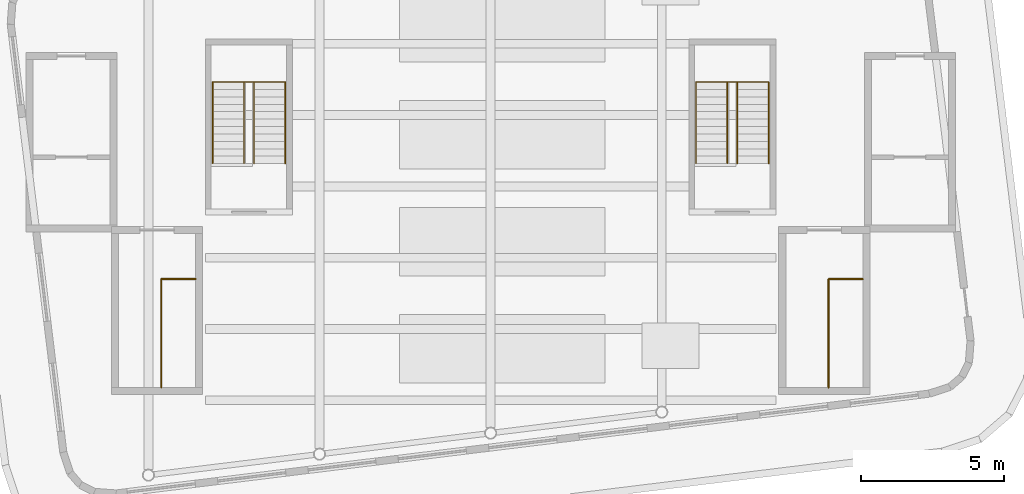
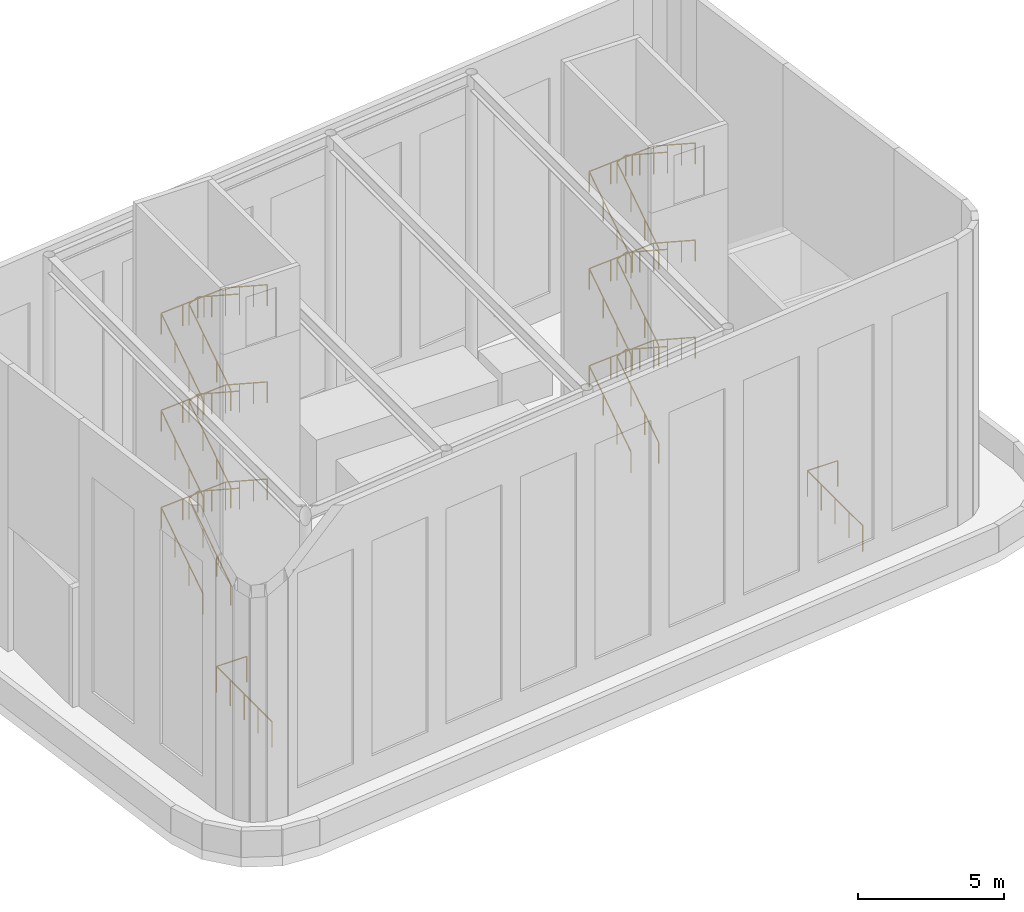
# One storey, part 6 of 7: 14 railings.
"""IFC4 building model written with IfcOpenShell, lengths in metres."""

from ifc_helpers import new_model, si_unit, direction, frame, origin, origin_2d, place, context, subcontext, project, spatial, circle, extrude, material, type_object, element, save


model = new_model("IFC4")

# Units and contexts
model_context = context("Model", 3, precision=1e-05, world=origin(), true_north=direction((0.0, 1.0)))
body_context = subcontext(model_context, "Body", "Model", "MODEL_VIEW")
ifc_project = project(units=[si_unit("LENGTHUNIT", "METRE"), si_unit("AREAUNIT", "SQUARE_METRE"), si_unit("VOLUMEUNIT", "CUBIC_METRE"), si_unit("PLANEANGLEUNIT", "RADIAN"), si_unit("MASSUNIT", "GRAM", prefix="KILO")], contexts=[model_context])

# Site, building, storey
site_placement = place(None, origin())
site = spatial("IfcSite", under=ifc_project, at=site_placement, CompositionType="ELEMENT")
building_placement = place(site_placement, origin())
building = spatial("IfcBuilding", under=site, at=building_placement, Name="Torana Hotel and Residences", CompositionType="ELEMENT")
storey_placement = place(building_placement, frame((0.0, 0.0, 363.39990234375)))
storey = spatial("IfcBuildingStorey", under=building, at=storey_placement, Name="RF", CompositionType="ELEMENT", Elevation=363.39990234375)

# Railings
ifc_material_1 = material(Name="Steel S355", Category="steel")
railing_type_1 = type_object("IfcRailingType", Name="STAIR GUARD GR2 1100", PredefinedType="GUARDRAIL", material=ifc_material_1)
for number, where, name in (
    (1, (-10.35009765625, -10.75, 0.0), "Stair guard ST1 RF"),
    (2, (13.050048828125, -10.75, 0.0), "Stair guard ST3 RF"),
):
    element("IfcRailing", number, at=place(storey_placement, frame(where)), inside=storey, type_object=railing_type_1, Name=name, PredefinedType="GUARDRAIL", context=body_context, shape_type="SweptSolid", body=[
        extrude(circle(Radius=0.02392578125, at=origin_2d()), frame((0.0, 0.0, 1.076171875), z_axis=(-1.0, 0.0, 0.0), x_axis=(0.0, -1.0, 0.0)), (0.0, 0.0, 1.0), 1.199951171875),
        extrude(circle(Radius=0.02392578125, at=origin_2d()), frame((-1.199951171875, 0.0, 1.076171875), z_axis=(0.0, -1.0, 0.0), x_axis=(1.0, 0.0, 0.0)), (0.0, 0.0, 1.0), 3.800048828125),
        extrude(circle(Radius=0.02099609375, at=origin_2d()), origin(), (0.0, 0.0, 1.0), 1.052001953125),
        extrude(circle(Radius=0.02099609375, at=origin_2d()), frame((-1.199951171875, 0.0, 0.0)), (0.0, 0.0, 1.0), 1.052001953125),
        extrude(circle(Radius=0.02099609375, at=origin_2d()), frame((-1.199951171875, -0.949951171875, 0.0)), (0.0, 0.0, 1.0), 1.052001953125),
        extrude(circle(Radius=0.02099609375, at=origin_2d()), frame((-1.199951171875, -1.89990234375, 0.0)), (0.0, 0.0, 1.0), 1.052001953125),
        extrude(circle(Radius=0.02099609375, at=origin_2d()), frame((-1.199951171875, -2.85009765625, 0.0)), (0.0, 0.0, 1.0), 1.052001953125),
        extrude(circle(Radius=0.02099609375, at=origin_2d()), frame((-1.199951171875, -3.800048828125, 0.0)), (0.0, 0.0, 1.0), 1.052001953125),
    ])
ifc_material_2 = material(Name="Stainless steel 316", Category="steel")
railing_type_2 = type_object("IfcRailingType", Name="STAIR HANDRAIL HR1 900", PredefinedType="HANDRAIL", material=ifc_material_2)
railing_1_placement = place(storey_placement, frame((-9.75, -6.699951171875, 0.16943359375)))
element("IfcRailing", 3, at=railing_1_placement, inside=storey, type_object=railing_type_2, Name="Handrail ST6 O1", PredefinedType="HANDRAIL", context=body_context, shape_type="SweptSolid", body=[
    extrude(circle(Radius=0.02392578125, at=origin_2d()), frame((0.0, 0.0, 0.8759765625), z_axis=(0.0, 0.837759956226, 0.546038694365), x_axis=(-1.0, 0.0, 0.0)), (0.0, 0.0, 1.0), 3.413818359375),
    extrude(circle(Radius=0.02392578125, at=origin_2d()), frame((0.0, 2.85986328125, 2.73974609375), z_axis=(0.997799927486, 0.0, 0.066297094272), x_axis=(0.0, 1.0, 0.0)), (0.0, 0.0, 1.0), 2.5556640625),
    extrude(circle(Radius=0.02392578125, at=origin_2d()), frame((2.550048828125, 2.85986328125, 2.9091796875), z_axis=(0.0, -0.837792671789, 0.54598849722), x_axis=(1.0, 0.0, 0.0)), (0.0, 0.0, 1.0), 3.41357421875),
    extrude(circle(Radius=0.02099609375, at=origin_2d()), origin(), (0.0, 0.0, 1.0), 0.851806640625),
    extrude(circle(Radius=0.02099609375, at=origin_2d()), frame((0.0, 0.953369140625, 0.621337890625)), (0.0, 0.0, 1.0), 0.851806640625),
    extrude(circle(Radius=0.02099609375, at=origin_2d()), frame((0.0, 1.906494140625, 1.24267578125)), (0.0, 0.0, 1.0), 0.851806640625),
    extrude(circle(Radius=0.02099609375, at=origin_2d()), frame((0.0, 2.85986328125, 1.864013671875)), (0.0, 0.0, 1.0), 0.851806640625),
    extrude(circle(Radius=0.02099609375, at=origin_2d()), frame((0.85009765625, 2.85986328125, 1.92041015625)), (0.0, 0.0, 1.0), 0.851806640625),
    extrude(circle(Radius=0.02099609375, at=origin_2d()), frame((1.699951171875, 2.85986328125, 1.97705078125)), (0.0, 0.0, 1.0), 0.851806640625),
    extrude(circle(Radius=0.02099609375, at=origin_2d()), frame((2.550048828125, 2.85986328125, 2.033447265625)), (0.0, 0.0, 1.0), 0.851806640625),
    extrude(circle(Radius=0.02099609375, at=origin_2d()), frame((2.550048828125, 1.906494140625, 2.65478515625)), (0.0, 0.0, 1.0), 0.851806640625),
    extrude(circle(Radius=0.02099609375, at=origin_2d()), frame((2.550048828125, 0.953369140625, 3.27587890625)), (0.0, 0.0, 1.0), 0.851806640625),
    extrude(circle(Radius=0.02099609375, at=origin_2d()), frame((2.550048828125, 0.0, 3.897216796875)), (0.0, 0.0, 1.0), 0.851806640625),
])
railing_2_placement = place(storey_placement, frame((-8.64990234375, -6.699951171875, 0.16943359375)))
element("IfcRailing", 4, at=railing_2_placement, inside=storey, type_object=railing_type_2, Name="Handrail ST6 I1", PredefinedType="HANDRAIL", context=body_context, shape_type="SweptSolid", body=[
    extrude(circle(Radius=0.02392578125, at=origin_2d()), frame((0.0, 0.0, 0.8759765625), z_axis=(0.0, 0.837759956226, 0.546038694365), x_axis=(-1.0, 0.0, 0.0)), (0.0, 0.0, 1.0), 3.413818359375),
    extrude(circle(Radius=0.02392578125, at=origin_2d()), frame((0.0, 2.85986328125, 2.73974609375), z_axis=(0.90000827262, 0.0, 0.435872813118), x_axis=(0.0, 1.0, 0.0)), (0.0, 0.0, 1.0), 0.388671875),
    extrude(circle(Radius=0.02392578125, at=origin_2d()), frame((0.349853515625, 2.85986328125, 2.9091796875), z_axis=(0.0, -0.837792671789, 0.54598849722), x_axis=(1.0, 0.0, 0.0)), (0.0, 0.0, 1.0), 3.41357421875),
    extrude(circle(Radius=0.02099609375, at=origin_2d()), origin(), (0.0, 0.0, 1.0), 0.851806640625),
    extrude(circle(Radius=0.02099609375, at=origin_2d()), frame((0.0, 0.953369140625, 0.621337890625)), (0.0, 0.0, 1.0), 0.851806640625),
    extrude(circle(Radius=0.02099609375, at=origin_2d()), frame((0.0, 1.906494140625, 1.24267578125)), (0.0, 0.0, 1.0), 0.851806640625),
    extrude(circle(Radius=0.02099609375, at=origin_2d()), frame((0.0, 2.85986328125, 1.864013671875)), (0.0, 0.0, 1.0), 0.851806640625),
    extrude(circle(Radius=0.02099609375, at=origin_2d()), frame((0.349853515625, 2.85986328125, 2.033447265625)), (0.0, 0.0, 1.0), 0.851806640625),
    extrude(circle(Radius=0.02099609375, at=origin_2d()), frame((0.349853515625, 1.906494140625, 2.65478515625)), (0.0, 0.0, 1.0), 0.851806640625),
    extrude(circle(Radius=0.02099609375, at=origin_2d()), frame((0.349853515625, 0.953369140625, 3.27587890625)), (0.0, 0.0, 1.0), 0.851806640625),
    extrude(circle(Radius=0.02099609375, at=origin_2d()), frame((0.349853515625, 0.0, 3.897216796875)), (0.0, 0.0, 1.0), 0.851806640625),
])
railing_3_placement = place(storey_placement, frame((-9.75, -6.699951171875, 4.236083984375)))
element("IfcRailing", 5, at=railing_3_placement, inside=storey, type_object=railing_type_2, Name="Handrail ST6 O2", PredefinedType="HANDRAIL", context=body_context, shape_type="SweptSolid", body=[
    extrude(circle(Radius=0.02392578125, at=origin_2d()), frame((0.0, 0.0, 0.8759765625), z_axis=(0.0, 0.837759956226, 0.546038694365), x_axis=(-1.0, 0.0, 0.0)), (0.0, 0.0, 1.0), 3.413818359375),
    extrude(circle(Radius=0.02392578125, at=origin_2d()), frame((0.0, 2.85986328125, 2.73974609375), z_axis=(0.997799927486, 0.0, 0.066297094272), x_axis=(0.0, 1.0, 0.0)), (0.0, 0.0, 1.0), 2.5556640625),
    extrude(circle(Radius=0.02392578125, at=origin_2d()), frame((2.550048828125, 2.85986328125, 2.9091796875), z_axis=(0.0, -0.837792671789, 0.54598849722), x_axis=(1.0, 0.0, 0.0)), (0.0, 0.0, 1.0), 3.41357421875),
    extrude(circle(Radius=0.02099609375, at=origin_2d()), origin(), (0.0, 0.0, 1.0), 0.851806640625),
    extrude(circle(Radius=0.02099609375, at=origin_2d()), frame((0.0, 0.953369140625, 0.621337890625)), (0.0, 0.0, 1.0), 0.851806640625),
    extrude(circle(Radius=0.02099609375, at=origin_2d()), frame((0.0, 1.906494140625, 1.24267578125)), (0.0, 0.0, 1.0), 0.851806640625),
    extrude(circle(Radius=0.02099609375, at=origin_2d()), frame((0.0, 2.85986328125, 1.864013671875)), (0.0, 0.0, 1.0), 0.851806640625),
    extrude(circle(Radius=0.02099609375, at=origin_2d()), frame((0.85009765625, 2.85986328125, 1.92041015625)), (0.0, 0.0, 1.0), 0.851806640625),
    extrude(circle(Radius=0.02099609375, at=origin_2d()), frame((1.699951171875, 2.85986328125, 1.97705078125)), (0.0, 0.0, 1.0), 0.851806640625),
    extrude(circle(Radius=0.02099609375, at=origin_2d()), frame((2.550048828125, 2.85986328125, 2.033447265625)), (0.0, 0.0, 1.0), 0.851806640625),
    extrude(circle(Radius=0.02099609375, at=origin_2d()), frame((2.550048828125, 1.906494140625, 2.65478515625)), (0.0, 0.0, 1.0), 0.851806640625),
    extrude(circle(Radius=0.02099609375, at=origin_2d()), frame((2.550048828125, 0.953369140625, 3.27587890625)), (0.0, 0.0, 1.0), 0.851806640625),
    extrude(circle(Radius=0.02099609375, at=origin_2d()), frame((2.550048828125, 0.0, 3.897216796875)), (0.0, 0.0, 1.0), 0.851806640625),
])
railing_4_placement = place(storey_placement, frame((-8.64990234375, -6.699951171875, 4.236083984375)))
element("IfcRailing", 6, at=railing_4_placement, inside=storey, type_object=railing_type_2, Name="Handrail ST6 I2", PredefinedType="HANDRAIL", context=body_context, shape_type="SweptSolid", body=[
    extrude(circle(Radius=0.02392578125, at=origin_2d()), frame((0.0, 0.0, 0.8759765625), z_axis=(0.0, 0.837759956226, 0.546038694365), x_axis=(-1.0, 0.0, 0.0)), (0.0, 0.0, 1.0), 3.413818359375),
    extrude(circle(Radius=0.02392578125, at=origin_2d()), frame((0.0, 2.85986328125, 2.73974609375), z_axis=(0.90000827262, 0.0, 0.435872813118), x_axis=(0.0, 1.0, 0.0)), (0.0, 0.0, 1.0), 0.388671875),
    extrude(circle(Radius=0.02392578125, at=origin_2d()), frame((0.349853515625, 2.85986328125, 2.9091796875), z_axis=(0.0, -0.837792671789, 0.54598849722), x_axis=(1.0, 0.0, 0.0)), (0.0, 0.0, 1.0), 3.41357421875),
    extrude(circle(Radius=0.02099609375, at=origin_2d()), origin(), (0.0, 0.0, 1.0), 0.851806640625),
    extrude(circle(Radius=0.02099609375, at=origin_2d()), frame((0.0, 0.953369140625, 0.621337890625)), (0.0, 0.0, 1.0), 0.851806640625),
    extrude(circle(Radius=0.02099609375, at=origin_2d()), frame((0.0, 1.906494140625, 1.24267578125)), (0.0, 0.0, 1.0), 0.851806640625),
    extrude(circle(Radius=0.02099609375, at=origin_2d()), frame((0.0, 2.85986328125, 1.864013671875)), (0.0, 0.0, 1.0), 0.851806640625),
    extrude(circle(Radius=0.02099609375, at=origin_2d()), frame((0.349853515625, 2.85986328125, 2.033447265625)), (0.0, 0.0, 1.0), 0.851806640625),
    extrude(circle(Radius=0.02099609375, at=origin_2d()), frame((0.349853515625, 1.906494140625, 2.65478515625)), (0.0, 0.0, 1.0), 0.851806640625),
    extrude(circle(Radius=0.02099609375, at=origin_2d()), frame((0.349853515625, 0.953369140625, 3.27587890625)), (0.0, 0.0, 1.0), 0.851806640625),
    extrude(circle(Radius=0.02099609375, at=origin_2d()), frame((0.349853515625, 0.0, 3.897216796875)), (0.0, 0.0, 1.0), 0.851806640625),
])
railing_5_placement = place(storey_placement, frame((-9.75, -6.699951171875, 8.302734375)))
element("IfcRailing", 7, at=railing_5_placement, inside=storey, type_object=railing_type_2, Name="Handrail ST6 O3", PredefinedType="HANDRAIL", context=body_context, shape_type="SweptSolid", body=[
    extrude(circle(Radius=0.02392578125, at=origin_2d()), frame((0.0, 0.0, 0.8759765625), z_axis=(0.0, 0.837759956226, 0.546038694365), x_axis=(-1.0, 0.0, 0.0)), (0.0, 0.0, 1.0), 3.413818359375),
    extrude(circle(Radius=0.02392578125, at=origin_2d()), frame((0.0, 2.85986328125, 2.73974609375), z_axis=(0.997799927486, 0.0, 0.066297094272), x_axis=(0.0, 1.0, 0.0)), (0.0, 0.0, 1.0), 2.5556640625),
    extrude(circle(Radius=0.02392578125, at=origin_2d()), frame((2.550048828125, 2.85986328125, 2.9091796875), z_axis=(0.0, -0.837759956226, 0.546038694365), x_axis=(1.0, 0.0, 0.0)), (0.0, 0.0, 1.0), 3.413818359375),
    extrude(circle(Radius=0.02099609375, at=origin_2d()), origin(), (0.0, 0.0, 1.0), 0.851806640625),
    extrude(circle(Radius=0.02099609375, at=origin_2d()), frame((0.0, 0.953369140625, 0.621337890625)), (0.0, 0.0, 1.0), 0.851806640625),
    extrude(circle(Radius=0.02099609375, at=origin_2d()), frame((0.0, 1.906494140625, 1.24267578125)), (0.0, 0.0, 1.0), 0.851806640625),
    extrude(circle(Radius=0.02099609375, at=origin_2d()), frame((0.0, 2.85986328125, 1.864013671875)), (0.0, 0.0, 1.0), 0.851806640625),
    extrude(circle(Radius=0.02099609375, at=origin_2d()), frame((0.85009765625, 2.85986328125, 1.92041015625)), (0.0, 0.0, 1.0), 0.851806640625),
    extrude(circle(Radius=0.02099609375, at=origin_2d()), frame((1.699951171875, 2.85986328125, 1.97705078125)), (0.0, 0.0, 1.0), 0.851806640625),
    extrude(circle(Radius=0.02099609375, at=origin_2d()), frame((2.550048828125, 2.85986328125, 2.033447265625)), (0.0, 0.0, 1.0), 0.851806640625),
    extrude(circle(Radius=0.02099609375, at=origin_2d()), frame((2.550048828125, 1.906494140625, 2.65478515625)), (0.0, 0.0, 1.0), 0.851806640625),
    extrude(circle(Radius=0.02099609375, at=origin_2d()), frame((2.550048828125, 0.953369140625, 3.276123046875)), (0.0, 0.0, 1.0), 0.851806640625),
    extrude(circle(Radius=0.02099609375, at=origin_2d()), frame((2.550048828125, 0.0, 3.8974609375)), (0.0, 0.0, 1.0), 0.851806640625),
])
railing_6_placement = place(storey_placement, frame((-8.64990234375, -6.699951171875, 8.302734375)))
element("IfcRailing", 8, at=railing_6_placement, inside=storey, type_object=railing_type_2, Name="Handrail ST6 I3", PredefinedType="HANDRAIL", context=body_context, shape_type="SweptSolid", body=[
    extrude(circle(Radius=0.02392578125, at=origin_2d()), frame((0.0, 0.0, 0.8759765625), z_axis=(0.0, 0.837759956226, 0.546038694365), x_axis=(-1.0, 0.0, 0.0)), (0.0, 0.0, 1.0), 3.413818359375),
    extrude(circle(Radius=0.02392578125, at=origin_2d()), frame((0.0, 2.85986328125, 2.73974609375), z_axis=(0.90000827262, 0.0, 0.435872813118), x_axis=(0.0, 1.0, 0.0)), (0.0, 0.0, 1.0), 0.388671875),
    extrude(circle(Radius=0.02392578125, at=origin_2d()), frame((0.349853515625, 2.85986328125, 2.9091796875), z_axis=(0.0, -0.837759956226, 0.546038694365), x_axis=(1.0, 0.0, 0.0)), (0.0, 0.0, 1.0), 3.413818359375),
    extrude(circle(Radius=0.02099609375, at=origin_2d()), origin(), (0.0, 0.0, 1.0), 0.851806640625),
    extrude(circle(Radius=0.02099609375, at=origin_2d()), frame((0.0, 0.953369140625, 0.621337890625)), (0.0, 0.0, 1.0), 0.851806640625),
    extrude(circle(Radius=0.02099609375, at=origin_2d()), frame((0.0, 1.906494140625, 1.24267578125)), (0.0, 0.0, 1.0), 0.851806640625),
    extrude(circle(Radius=0.02099609375, at=origin_2d()), frame((0.0, 2.85986328125, 1.864013671875)), (0.0, 0.0, 1.0), 0.851806640625),
    extrude(circle(Radius=0.02099609375, at=origin_2d()), frame((0.349853515625, 2.85986328125, 2.033447265625)), (0.0, 0.0, 1.0), 0.851806640625),
    extrude(circle(Radius=0.02099609375, at=origin_2d()), frame((0.349853515625, 1.906494140625, 2.65478515625)), (0.0, 0.0, 1.0), 0.851806640625),
    extrude(circle(Radius=0.02099609375, at=origin_2d()), frame((0.349853515625, 0.953369140625, 3.276123046875)), (0.0, 0.0, 1.0), 0.851806640625),
    extrude(circle(Radius=0.02099609375, at=origin_2d()), frame((0.349853515625, 0.0, 3.8974609375)), (0.0, 0.0, 1.0), 0.851806640625),
])
railing_7_placement = place(storey_placement, frame((7.199951171875, -6.699951171875, 0.16943359375)))
element("IfcRailing", 9, at=railing_7_placement, inside=storey, type_object=railing_type_2, Name="Handrail ST7 O1", PredefinedType="HANDRAIL", context=body_context, shape_type="SweptSolid", body=[
    extrude(circle(Radius=0.02392578125, at=origin_2d()), frame((0.0, 0.0, 0.8759765625), z_axis=(0.0, 0.837759956226, 0.546038694365), x_axis=(-1.0, 0.0, 0.0)), (0.0, 0.0, 1.0), 3.413818359375),
    extrude(circle(Radius=0.02392578125, at=origin_2d()), frame((0.0, 2.85986328125, 2.73974609375), z_axis=(0.997799927486, 0.0, 0.066297094272), x_axis=(0.0, 1.0, 0.0)), (0.0, 0.0, 1.0), 2.5556640625),
    extrude(circle(Radius=0.02392578125, at=origin_2d()), frame((2.550048828125, 2.85986328125, 2.9091796875), z_axis=(0.0, -0.837792671789, 0.54598849722), x_axis=(1.0, 0.0, 0.0)), (0.0, 0.0, 1.0), 3.41357421875),
    extrude(circle(Radius=0.02099609375, at=origin_2d()), origin(), (0.0, 0.0, 1.0), 0.851806640625),
    extrude(circle(Radius=0.02099609375, at=origin_2d()), frame((0.0, 0.953369140625, 0.621337890625)), (0.0, 0.0, 1.0), 0.851806640625),
    extrude(circle(Radius=0.02099609375, at=origin_2d()), frame((0.0, 1.906494140625, 1.24267578125)), (0.0, 0.0, 1.0), 0.851806640625),
    extrude(circle(Radius=0.02099609375, at=origin_2d()), frame((0.0, 2.85986328125, 1.864013671875)), (0.0, 0.0, 1.0), 0.851806640625),
    extrude(circle(Radius=0.02099609375, at=origin_2d()), frame((0.85009765625, 2.85986328125, 1.92041015625)), (0.0, 0.0, 1.0), 0.851806640625),
    extrude(circle(Radius=0.02099609375, at=origin_2d()), frame((1.699951171875, 2.85986328125, 1.97705078125)), (0.0, 0.0, 1.0), 0.851806640625),
    extrude(circle(Radius=0.02099609375, at=origin_2d()), frame((2.550048828125, 2.85986328125, 2.033447265625)), (0.0, 0.0, 1.0), 0.851806640625),
    extrude(circle(Radius=0.02099609375, at=origin_2d()), frame((2.550048828125, 1.906494140625, 2.65478515625)), (0.0, 0.0, 1.0), 0.851806640625),
    extrude(circle(Radius=0.02099609375, at=origin_2d()), frame((2.550048828125, 0.953369140625, 3.27587890625)), (0.0, 0.0, 1.0), 0.851806640625),
    extrude(circle(Radius=0.02099609375, at=origin_2d()), frame((2.550048828125, 0.0, 3.897216796875)), (0.0, 0.0, 1.0), 0.851806640625),
])
railing_8_placement = place(storey_placement, frame((8.300048828125, -6.699951171875, 0.16943359375)))
element("IfcRailing", 10, at=railing_8_placement, inside=storey, type_object=railing_type_2, Name="Handrail ST7 I1", PredefinedType="HANDRAIL", context=body_context, shape_type="SweptSolid", body=[
    extrude(circle(Radius=0.02392578125, at=origin_2d()), frame((0.0, 0.0, 0.8759765625), z_axis=(0.0, 0.837759956226, 0.546038694365), x_axis=(-1.0, 0.0, 0.0)), (0.0, 0.0, 1.0), 3.413818359375),
    extrude(circle(Radius=0.02392578125, at=origin_2d()), frame((0.0, 2.85986328125, 2.73974609375), z_axis=(0.90000827262, 0.0, 0.435872813118), x_axis=(0.0, 1.0, 0.0)), (0.0, 0.0, 1.0), 0.388671875),
    extrude(circle(Radius=0.02392578125, at=origin_2d()), frame((0.349853515625, 2.85986328125, 2.9091796875), z_axis=(0.0, -0.837792671789, 0.54598849722), x_axis=(1.0, 0.0, 0.0)), (0.0, 0.0, 1.0), 3.41357421875),
    extrude(circle(Radius=0.02099609375, at=origin_2d()), origin(), (0.0, 0.0, 1.0), 0.851806640625),
    extrude(circle(Radius=0.02099609375, at=origin_2d()), frame((0.0, 0.953369140625, 0.621337890625)), (0.0, 0.0, 1.0), 0.851806640625),
    extrude(circle(Radius=0.02099609375, at=origin_2d()), frame((0.0, 1.906494140625, 1.24267578125)), (0.0, 0.0, 1.0), 0.851806640625),
    extrude(circle(Radius=0.02099609375, at=origin_2d()), frame((0.0, 2.85986328125, 1.864013671875)), (0.0, 0.0, 1.0), 0.851806640625),
    extrude(circle(Radius=0.02099609375, at=origin_2d()), frame((0.349853515625, 2.85986328125, 2.033447265625)), (0.0, 0.0, 1.0), 0.851806640625),
    extrude(circle(Radius=0.02099609375, at=origin_2d()), frame((0.349853515625, 1.906494140625, 2.65478515625)), (0.0, 0.0, 1.0), 0.851806640625),
    extrude(circle(Radius=0.02099609375, at=origin_2d()), frame((0.349853515625, 0.953369140625, 3.27587890625)), (0.0, 0.0, 1.0), 0.851806640625),
    extrude(circle(Radius=0.02099609375, at=origin_2d()), frame((0.349853515625, 0.0, 3.897216796875)), (0.0, 0.0, 1.0), 0.851806640625),
])
railing_9_placement = place(storey_placement, frame((7.199951171875, -6.699951171875, 4.236083984375)))
element("IfcRailing", 11, at=railing_9_placement, inside=storey, type_object=railing_type_2, Name="Handrail ST7 O2", PredefinedType="HANDRAIL", context=body_context, shape_type="SweptSolid", body=[
    extrude(circle(Radius=0.02392578125, at=origin_2d()), frame((0.0, 0.0, 0.8759765625), z_axis=(0.0, 0.837759956226, 0.546038694365), x_axis=(-1.0, 0.0, 0.0)), (0.0, 0.0, 1.0), 3.413818359375),
    extrude(circle(Radius=0.02392578125, at=origin_2d()), frame((0.0, 2.85986328125, 2.73974609375), z_axis=(0.997799927486, 0.0, 0.066297094272), x_axis=(0.0, 1.0, 0.0)), (0.0, 0.0, 1.0), 2.5556640625),
    extrude(circle(Radius=0.02392578125, at=origin_2d()), frame((2.550048828125, 2.85986328125, 2.9091796875), z_axis=(0.0, -0.837792671789, 0.54598849722), x_axis=(1.0, 0.0, 0.0)), (0.0, 0.0, 1.0), 3.41357421875),
    extrude(circle(Radius=0.02099609375, at=origin_2d()), origin(), (0.0, 0.0, 1.0), 0.851806640625),
    extrude(circle(Radius=0.02099609375, at=origin_2d()), frame((0.0, 0.953369140625, 0.621337890625)), (0.0, 0.0, 1.0), 0.851806640625),
    extrude(circle(Radius=0.02099609375, at=origin_2d()), frame((0.0, 1.906494140625, 1.24267578125)), (0.0, 0.0, 1.0), 0.851806640625),
    extrude(circle(Radius=0.02099609375, at=origin_2d()), frame((0.0, 2.85986328125, 1.864013671875)), (0.0, 0.0, 1.0), 0.851806640625),
    extrude(circle(Radius=0.02099609375, at=origin_2d()), frame((0.85009765625, 2.85986328125, 1.92041015625)), (0.0, 0.0, 1.0), 0.851806640625),
    extrude(circle(Radius=0.02099609375, at=origin_2d()), frame((1.699951171875, 2.85986328125, 1.97705078125)), (0.0, 0.0, 1.0), 0.851806640625),
    extrude(circle(Radius=0.02099609375, at=origin_2d()), frame((2.550048828125, 2.85986328125, 2.033447265625)), (0.0, 0.0, 1.0), 0.851806640625),
    extrude(circle(Radius=0.02099609375, at=origin_2d()), frame((2.550048828125, 1.906494140625, 2.65478515625)), (0.0, 0.0, 1.0), 0.851806640625),
    extrude(circle(Radius=0.02099609375, at=origin_2d()), frame((2.550048828125, 0.953369140625, 3.27587890625)), (0.0, 0.0, 1.0), 0.851806640625),
    extrude(circle(Radius=0.02099609375, at=origin_2d()), frame((2.550048828125, 0.0, 3.897216796875)), (0.0, 0.0, 1.0), 0.851806640625),
])
railing_10_placement = place(storey_placement, frame((8.300048828125, -6.699951171875, 4.236083984375)))
element("IfcRailing", 12, at=railing_10_placement, inside=storey, type_object=railing_type_2, Name="Handrail ST7 I2", PredefinedType="HANDRAIL", context=body_context, shape_type="SweptSolid", body=[
    extrude(circle(Radius=0.02392578125, at=origin_2d()), frame((0.0, 0.0, 0.8759765625), z_axis=(0.0, 0.837759956226, 0.546038694365), x_axis=(-1.0, 0.0, 0.0)), (0.0, 0.0, 1.0), 3.413818359375),
    extrude(circle(Radius=0.02392578125, at=origin_2d()), frame((0.0, 2.85986328125, 2.73974609375), z_axis=(0.90000827262, 0.0, 0.435872813118), x_axis=(0.0, 1.0, 0.0)), (0.0, 0.0, 1.0), 0.388671875),
    extrude(circle(Radius=0.02392578125, at=origin_2d()), frame((0.349853515625, 2.85986328125, 2.9091796875), z_axis=(0.0, -0.837792671789, 0.54598849722), x_axis=(1.0, 0.0, 0.0)), (0.0, 0.0, 1.0), 3.41357421875),
    extrude(circle(Radius=0.02099609375, at=origin_2d()), origin(), (0.0, 0.0, 1.0), 0.851806640625),
    extrude(circle(Radius=0.02099609375, at=origin_2d()), frame((0.0, 0.953369140625, 0.621337890625)), (0.0, 0.0, 1.0), 0.851806640625),
    extrude(circle(Radius=0.02099609375, at=origin_2d()), frame((0.0, 1.906494140625, 1.24267578125)), (0.0, 0.0, 1.0), 0.851806640625),
    extrude(circle(Radius=0.02099609375, at=origin_2d()), frame((0.0, 2.85986328125, 1.864013671875)), (0.0, 0.0, 1.0), 0.851806640625),
    extrude(circle(Radius=0.02099609375, at=origin_2d()), frame((0.349853515625, 2.85986328125, 2.033447265625)), (0.0, 0.0, 1.0), 0.851806640625),
    extrude(circle(Radius=0.02099609375, at=origin_2d()), frame((0.349853515625, 1.906494140625, 2.65478515625)), (0.0, 0.0, 1.0), 0.851806640625),
    extrude(circle(Radius=0.02099609375, at=origin_2d()), frame((0.349853515625, 0.953369140625, 3.27587890625)), (0.0, 0.0, 1.0), 0.851806640625),
    extrude(circle(Radius=0.02099609375, at=origin_2d()), frame((0.349853515625, 0.0, 3.897216796875)), (0.0, 0.0, 1.0), 0.851806640625),
])
railing_11_placement = place(storey_placement, frame((7.199951171875, -6.699951171875, 8.302734375)))
element("IfcRailing", 13, at=railing_11_placement, inside=storey, type_object=railing_type_2, Name="Handrail ST7 O3", PredefinedType="HANDRAIL", context=body_context, shape_type="SweptSolid", body=[
    extrude(circle(Radius=0.02392578125, at=origin_2d()), frame((0.0, 0.0, 0.8759765625), z_axis=(0.0, 0.837759956226, 0.546038694365), x_axis=(-1.0, 0.0, 0.0)), (0.0, 0.0, 1.0), 3.413818359375),
    extrude(circle(Radius=0.02392578125, at=origin_2d()), frame((0.0, 2.85986328125, 2.73974609375), z_axis=(0.997799927486, 0.0, 0.066297094272), x_axis=(0.0, 1.0, 0.0)), (0.0, 0.0, 1.0), 2.5556640625),
    extrude(circle(Radius=0.02392578125, at=origin_2d()), frame((2.550048828125, 2.85986328125, 2.9091796875), z_axis=(0.0, -0.837759956226, 0.546038694365), x_axis=(1.0, 0.0, 0.0)), (0.0, 0.0, 1.0), 3.413818359375),
    extrude(circle(Radius=0.02099609375, at=origin_2d()), origin(), (0.0, 0.0, 1.0), 0.851806640625),
    extrude(circle(Radius=0.02099609375, at=origin_2d()), frame((0.0, 0.953369140625, 0.621337890625)), (0.0, 0.0, 1.0), 0.851806640625),
    extrude(circle(Radius=0.02099609375, at=origin_2d()), frame((0.0, 1.906494140625, 1.24267578125)), (0.0, 0.0, 1.0), 0.851806640625),
    extrude(circle(Radius=0.02099609375, at=origin_2d()), frame((0.0, 2.85986328125, 1.864013671875)), (0.0, 0.0, 1.0), 0.851806640625),
    extrude(circle(Radius=0.02099609375, at=origin_2d()), frame((0.85009765625, 2.85986328125, 1.92041015625)), (0.0, 0.0, 1.0), 0.851806640625),
    extrude(circle(Radius=0.02099609375, at=origin_2d()), frame((1.699951171875, 2.85986328125, 1.97705078125)), (0.0, 0.0, 1.0), 0.851806640625),
    extrude(circle(Radius=0.02099609375, at=origin_2d()), frame((2.550048828125, 2.85986328125, 2.033447265625)), (0.0, 0.0, 1.0), 0.851806640625),
    extrude(circle(Radius=0.02099609375, at=origin_2d()), frame((2.550048828125, 1.906494140625, 2.65478515625)), (0.0, 0.0, 1.0), 0.851806640625),
    extrude(circle(Radius=0.02099609375, at=origin_2d()), frame((2.550048828125, 0.953369140625, 3.276123046875)), (0.0, 0.0, 1.0), 0.851806640625),
    extrude(circle(Radius=0.02099609375, at=origin_2d()), frame((2.550048828125, 0.0, 3.8974609375)), (0.0, 0.0, 1.0), 0.851806640625),
])
railing_12_placement = place(storey_placement, frame((8.300048828125, -6.699951171875, 8.302734375)))
element("IfcRailing", 14, at=railing_12_placement, inside=storey, type_object=railing_type_2, Name="Handrail ST7 I3", PredefinedType="HANDRAIL", context=body_context, shape_type="SweptSolid", body=[
    extrude(circle(Radius=0.02392578125, at=origin_2d()), frame((0.0, 0.0, 0.8759765625), z_axis=(0.0, 0.837759956226, 0.546038694365), x_axis=(-1.0, 0.0, 0.0)), (0.0, 0.0, 1.0), 3.413818359375),
    extrude(circle(Radius=0.02392578125, at=origin_2d()), frame((0.0, 2.85986328125, 2.73974609375), z_axis=(0.90000827262, 0.0, 0.435872813118), x_axis=(0.0, 1.0, 0.0)), (0.0, 0.0, 1.0), 0.388671875),
    extrude(circle(Radius=0.02392578125, at=origin_2d()), frame((0.349853515625, 2.85986328125, 2.9091796875), z_axis=(0.0, -0.837759956226, 0.546038694365), x_axis=(1.0, 0.0, 0.0)), (0.0, 0.0, 1.0), 3.413818359375),
    extrude(circle(Radius=0.02099609375, at=origin_2d()), origin(), (0.0, 0.0, 1.0), 0.851806640625),
    extrude(circle(Radius=0.02099609375, at=origin_2d()), frame((0.0, 0.953369140625, 0.621337890625)), (0.0, 0.0, 1.0), 0.851806640625),
    extrude(circle(Radius=0.02099609375, at=origin_2d()), frame((0.0, 1.906494140625, 1.24267578125)), (0.0, 0.0, 1.0), 0.851806640625),
    extrude(circle(Radius=0.02099609375, at=origin_2d()), frame((0.0, 2.85986328125, 1.864013671875)), (0.0, 0.0, 1.0), 0.851806640625),
    extrude(circle(Radius=0.02099609375, at=origin_2d()), frame((0.349853515625, 2.85986328125, 2.033447265625)), (0.0, 0.0, 1.0), 0.851806640625),
    extrude(circle(Radius=0.02099609375, at=origin_2d()), frame((0.349853515625, 1.906494140625, 2.65478515625)), (0.0, 0.0, 1.0), 0.851806640625),
    extrude(circle(Radius=0.02099609375, at=origin_2d()), frame((0.349853515625, 0.953369140625, 3.276123046875)), (0.0, 0.0, 1.0), 0.851806640625),
    extrude(circle(Radius=0.02099609375, at=origin_2d()), frame((0.349853515625, 0.0, 3.8974609375)), (0.0, 0.0, 1.0), 0.851806640625),
])

save(model, "model.ifc")
